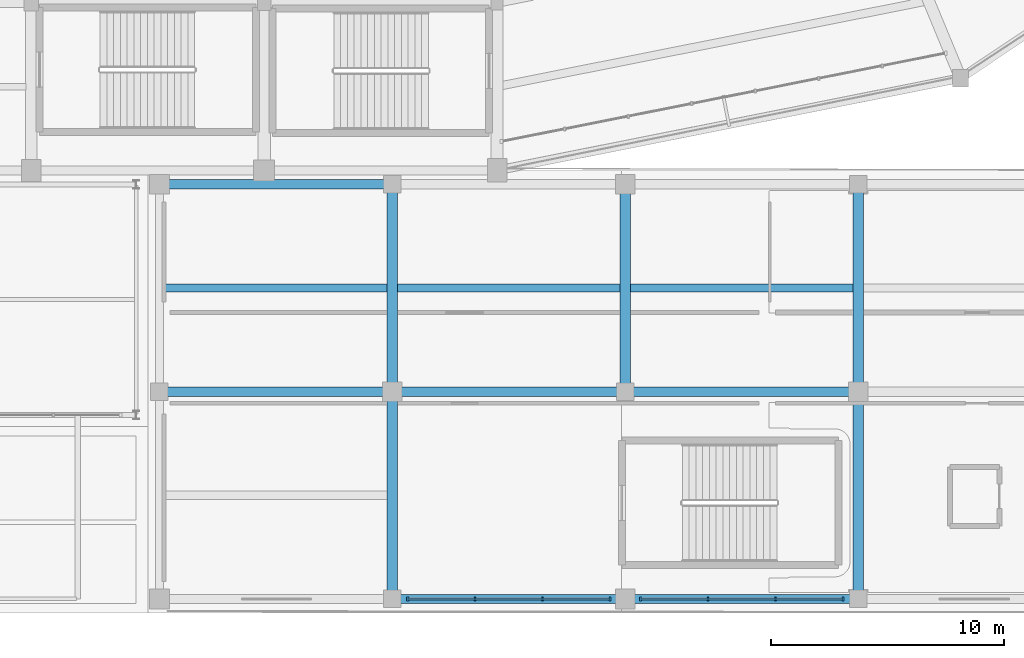
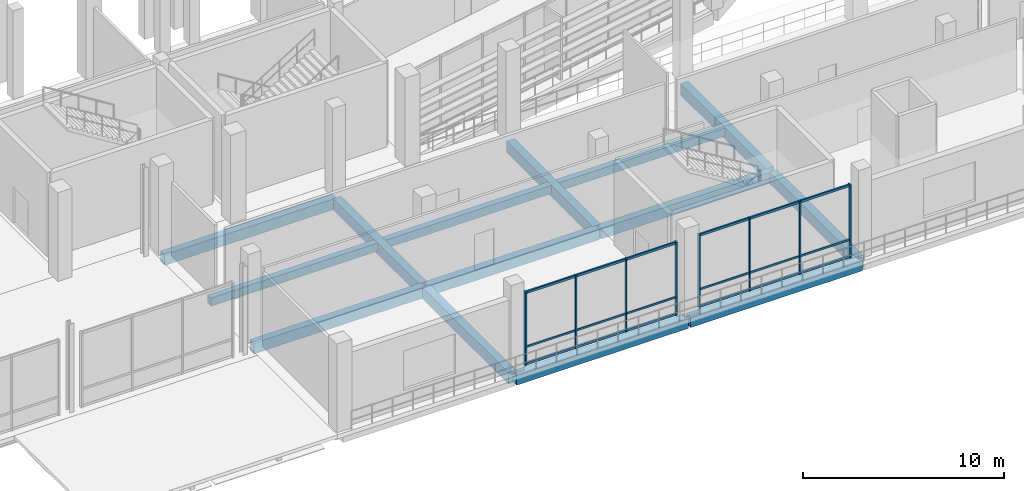
# One storey, part 33 of 114: 14 beams, 14 members, 2 elements without a shape of their own.
"""IFC4 building model written with IfcOpenShell, lengths in metres."""

from ifc_helpers import new_model, si_unit, direction, frame, origin, origin_2d, place, context, subcontext, project, spatial, rectangle, extrude, material, material_profile, profile_set, type_object, element, aggregate, save


model = new_model("IFC4")

# Units and contexts
model_context = context("Model", 3, precision=1e-05, world=origin(), true_north=direction((0.0, 1.0)))
body_context = subcontext(model_context, "Body", "Model", "MODEL_VIEW")
ifc_project = project(units=[si_unit("LENGTHUNIT", "METRE"), si_unit("AREAUNIT", "SQUARE_METRE"), si_unit("VOLUMEUNIT", "CUBIC_METRE"), si_unit("PLANEANGLEUNIT", "RADIAN"), si_unit("MASSUNIT", "GRAM", prefix="KILO")], contexts=[model_context])

# Site, building, storey
site_placement = place(None, origin())
site = spatial("IfcSite", under=ifc_project, at=site_placement, CompositionType="ELEMENT")
building_placement = place(site_placement, origin())
building = spatial("IfcBuilding", under=site, at=building_placement, Name="Candeia Ridge Stadium", CompositionType="ELEMENT")
storey_placement = place(building_placement, frame((0.0, 0.0, 5.39990234375)))
storey = spatial("IfcBuildingStorey", under=building, at=storey_placement, Name="L01", CompositionType="ELEMENT", Elevation=5.39990234375)

# Curtain wall, members
ifc_material_1 = material(Name="Aluminium Anodized Warm Bronze", Category="aluminium")
curtain_wall_type = type_object("IfcCurtainWallType", Name="Museum & Boulevard Showcase Curtain Wall", PredefinedType="NOTDEFINED", material=ifc_material_1)
curtain_wall_1_placement = place(storey_placement, origin())
curtain_wall_1 = element("IfcCurtainWall", 1, at=curtain_wall_1_placement, inside=storey, type_object=curtain_wall_type, Name="Unitised curtain wall CW-WNG-L01-114", PredefinedType="NOTDEFINED")
ifc_material_profile_1 = material_profile(ifc_material_1, rectangle(XDim=0.090087890625, YDim=0.179931640625, at=origin_2d()), Name="CWM-90x180", Category="aluminium")
ifc_profile_set_1 = profile_set([ifc_material_profile_1], Name="Aluminium Anodized Warm Bronze")
member_type_1 = type_object("IfcMemberType", Name="Curtain Wall Primary Mullion 90x180", PredefinedType="MULLION", material=ifc_profile_set_1)
member_1_placement = place(storey_placement, frame((137.159912109375, 0.60009765625, 0.0), z_axis=(0.0, 0.0, 1.0), x_axis=(1.0, 0.0, 0.0)))
member_1 = element("IfcMember", 2, at=member_1_placement, type_object=member_type_1, Name="Curtain wall mullion CW-WNG-L01-114-M0", PredefinedType="MULLION", context=body_context, shape_type="SweptSolid", body=[
    extrude(rectangle(XDim=0.090087890625, YDim=0.179931640625, at=origin_2d()), origin(), (0.0, 0.0, 1.0), 4.47509765625),
])
member_2_placement = place(storey_placement, frame((145.840087890625, 0.60009765625, 0.0), z_axis=(0.0, 0.0, 1.0), x_axis=(1.0, 0.0, 0.0)))
member_2 = element("IfcMember", 3, at=member_2_placement, type_object=member_type_1, Name="Curtain wall mullion CW-WNG-L01-114-M3", PredefinedType="MULLION", context=body_context, shape_type="SweptSolid", body=[
    extrude(rectangle(XDim=0.090087890625, YDim=0.179931640625, at=origin_2d()), origin(), (0.0, 0.0, 1.0), 4.47509765625),
])

curtain_wall_2_placement = place(storey_placement, origin())
curtain_wall_2 = element("IfcCurtainWall", 4, at=curtain_wall_2_placement, inside=storey, type_object=curtain_wall_type, Name="Unitised curtain wall CW-WNG-L01-115", PredefinedType="NOTDEFINED")
member_3_placement = place(storey_placement, frame((147.159912109375, 0.60009765625, 0.0), z_axis=(0.0, 0.0, 1.0), x_axis=(1.0, 0.0, 0.0)))
member_3 = element("IfcMember", 5, at=member_3_placement, type_object=member_type_1, Name="Curtain wall mullion CW-WNG-L01-115-M0", PredefinedType="MULLION", context=body_context, shape_type="SweptSolid", body=[
    extrude(rectangle(XDim=0.090087890625, YDim=0.179931640625, at=origin_2d()), origin(), (0.0, 0.0, 1.0), 4.47509765625),
])
member_4_placement = place(storey_placement, frame((155.840087890625, 0.60009765625, 0.0), z_axis=(0.0, 0.0, 1.0), x_axis=(1.0, 0.0, 0.0)))
member_4 = element("IfcMember", 6, at=member_4_placement, type_object=member_type_1, Name="Curtain wall mullion CW-WNG-L01-115-M3", PredefinedType="MULLION", context=body_context, shape_type="SweptSolid", body=[
    extrude(rectangle(XDim=0.090087890625, YDim=0.179931640625, at=origin_2d()), origin(), (0.0, 0.0, 1.0), 4.47509765625),
])

# Member
ifc_material_profile_2 = material_profile(ifc_material_1, rectangle(XDim=0.074951171875, YDim=0.14990234375, at=origin_2d()), Name="CWM-75x150", Category="aluminium")
ifc_profile_set_2 = profile_set([ifc_material_profile_2], Name="Aluminium Anodized Warm Bronze")
member_type_2 = type_object("IfcMemberType", Name="Curtain Wall Secondary Mullion 75x150", PredefinedType="MULLION", material=ifc_profile_set_2)
member_5_placement = place(storey_placement, frame((140.05322265625, 0.60009765625, 0.0), z_axis=(0.0, 0.0, 1.0), x_axis=(1.0, 0.0, 0.0)))
member_5 = element("IfcMember", 7, at=member_5_placement, type_object=member_type_2, Name="Curtain wall mullion CW-WNG-L01-114-M1", PredefinedType="MULLION", context=body_context, shape_type="SweptSolid", body=[
    extrude(rectangle(XDim=0.074951171875, YDim=0.14990234375, at=origin_2d()), origin(), (0.0, 0.0, 1.0), 4.47509765625),
])

member_6_placement = place(storey_placement, frame((142.94677734375, 0.60009765625, 0.0), z_axis=(0.0, 0.0, 1.0), x_axis=(1.0, 0.0, 0.0)))
member_6 = element("IfcMember", 8, at=member_6_placement, type_object=member_type_2, Name="Curtain wall mullion CW-WNG-L01-114-M2", PredefinedType="MULLION", context=body_context, shape_type="SweptSolid", body=[
    extrude(rectangle(XDim=0.074951171875, YDim=0.14990234375, at=origin_2d()), origin(), (0.0, 0.0, 1.0), 4.47509765625),
])

member_7_placement = place(storey_placement, frame((150.05322265625, 0.60009765625, 0.0), z_axis=(0.0, 0.0, 1.0), x_axis=(1.0, 0.0, 0.0)))
member_7 = element("IfcMember", 9, at=member_7_placement, type_object=member_type_2, Name="Curtain wall mullion CW-WNG-L01-115-M1", PredefinedType="MULLION", context=body_context, shape_type="SweptSolid", body=[
    extrude(rectangle(XDim=0.074951171875, YDim=0.14990234375, at=origin_2d()), origin(), (0.0, 0.0, 1.0), 4.47509765625),
])

member_8_placement = place(storey_placement, frame((152.94677734375, 0.60009765625, 0.0), z_axis=(0.0, 0.0, 1.0), x_axis=(1.0, 0.0, 0.0)))
member_8 = element("IfcMember", 10, at=member_8_placement, type_object=member_type_2, Name="Curtain wall mullion CW-WNG-L01-115-M2", PredefinedType="MULLION", context=body_context, shape_type="SweptSolid", body=[
    extrude(rectangle(XDim=0.074951171875, YDim=0.14990234375, at=origin_2d()), origin(), (0.0, 0.0, 1.0), 4.47509765625),
])

ifc_material_profile_3 = material_profile(ifc_material_1, rectangle(XDim=0.074951171875, YDim=0.110107421875, at=origin_2d()), Name="CWT-75x110", Category="aluminium")
ifc_profile_set_3 = profile_set([ifc_material_profile_3], Name="Aluminium Anodized Warm Bronze")
member_type_3 = type_object("IfcMemberType", Name="Curtain Wall Secondary Transom 75x110", PredefinedType="USERDEFINED", material=ifc_profile_set_3)
member_9_placement = place(storey_placement, frame((137.159912109375, 0.60009765625, 1.10009765625), z_axis=(1.0, 0.0, 0.0), x_axis=(0.0, 1.0, 0.0)))
member_9 = element("IfcMember", 11, at=member_9_placement, type_object=member_type_3, Name="Curtain wall transom CW-WNG-L01-114-T1", ObjectType="TRANSOM", PredefinedType="USERDEFINED", context=body_context, shape_type="SweptSolid", body=[
    extrude(rectangle(XDim=0.074951171875, YDim=0.110107421875, at=origin_2d()), origin(), (0.0, 0.0, 1.0), 8.68017578125),
])

member_10_placement = place(storey_placement, frame((147.159912109375, 0.60009765625, 1.10009765625), z_axis=(1.0, 0.0, 0.0), x_axis=(0.0, 1.0, 0.0)))
member_10 = element("IfcMember", 12, at=member_10_placement, type_object=member_type_3, Name="Curtain wall transom CW-WNG-L01-115-T1", ObjectType="TRANSOM", PredefinedType="USERDEFINED", context=body_context, shape_type="SweptSolid", body=[
    extrude(rectangle(XDim=0.074951171875, YDim=0.110107421875, at=origin_2d()), origin(), (0.0, 0.0, 1.0), 8.68017578125),
])

ifc_material_profile_4 = material_profile(ifc_material_1, rectangle(XDim=0.090087890625, YDim=0.139892578125, at=origin_2d()), Name="CWT-90x140", Category="aluminium")
ifc_profile_set_4 = profile_set([ifc_material_profile_4], Name="Aluminium Anodized Warm Bronze")
member_type_4 = type_object("IfcMemberType", Name="Curtain Wall Transom 90x140", PredefinedType="USERDEFINED", material=ifc_profile_set_4)
member_11_placement = place(storey_placement, frame((137.159912109375, 0.60009765625, 0.070068359375), z_axis=(1.0, 0.0, 0.0), x_axis=(0.0, 1.0, 0.0)))
member_11 = element("IfcMember", 13, at=member_11_placement, type_object=member_type_4, Name="Curtain wall transom CW-WNG-L01-114-T0", ObjectType="TRANSOM", PredefinedType="USERDEFINED", context=body_context, shape_type="SweptSolid", body=[
    extrude(rectangle(XDim=0.090087890625, YDim=0.139892578125, at=origin_2d()), origin(), (0.0, 0.0, 1.0), 8.68017578125),
])

member_12_placement = place(storey_placement, frame((137.159912109375, 0.60009765625, 4.405029296875), z_axis=(1.0, 0.0, 0.0), x_axis=(0.0, 1.0, 0.0)))
member_12 = element("IfcMember", 14, at=member_12_placement, type_object=member_type_4, Name="Curtain wall transom CW-WNG-L01-114-T2", ObjectType="TRANSOM", PredefinedType="USERDEFINED", context=body_context, shape_type="SweptSolid", body=[
    extrude(rectangle(XDim=0.090087890625, YDim=0.139892578125, at=origin_2d()), origin(), (0.0, 0.0, 1.0), 8.68017578125),
])

aggregate(curtain_wall_1, [member_1, member_5, member_6, member_2, member_11, member_9, member_12])

member_13_placement = place(storey_placement, frame((147.159912109375, 0.60009765625, 0.070068359375), z_axis=(1.0, 0.0, 0.0), x_axis=(0.0, 1.0, 0.0)))
member_13 = element("IfcMember", 15, at=member_13_placement, type_object=member_type_4, Name="Curtain wall transom CW-WNG-L01-115-T0", ObjectType="TRANSOM", PredefinedType="USERDEFINED", context=body_context, shape_type="SweptSolid", body=[
    extrude(rectangle(XDim=0.090087890625, YDim=0.139892578125, at=origin_2d()), origin(), (0.0, 0.0, 1.0), 8.68017578125),
])

member_14_placement = place(storey_placement, frame((147.159912109375, 0.60009765625, 4.405029296875), z_axis=(1.0, 0.0, 0.0), x_axis=(0.0, 1.0, 0.0)))
member_14 = element("IfcMember", 16, at=member_14_placement, type_object=member_type_4, Name="Curtain wall transom CW-WNG-L01-115-T2", ObjectType="TRANSOM", PredefinedType="USERDEFINED", context=body_context, shape_type="SweptSolid", body=[
    extrude(rectangle(XDim=0.090087890625, YDim=0.139892578125, at=origin_2d()), origin(), (0.0, 0.0, 1.0), 8.68017578125),
])

aggregate(curtain_wall_2, [member_3, member_7, member_8, member_4, member_13, member_10, member_14])

# Beams
ifc_material_2 = material(Name="Concrete C40/50", Category="concrete")
ifc_material_profile_5 = material_profile(ifc_material_2, rectangle(XDim=0.35009765625, YDim=0.5, at=origin_2d()), Name="RC350x500", Category="concrete")
ifc_profile_set_5 = profile_set([ifc_material_profile_5], Name="Concrete C40/50")
beam_type_1 = type_object("IfcBeamType", Name="Floor Joist RC350x500", PredefinedType="JOIST", material=ifc_profile_set_5)
beam_placement = place(storey_placement, frame((126.674560546875, 13.949951171875, -0.510009765625), z_axis=(1.0, 0.0, 0.0), x_axis=(0.0, 1.0, 0.0)))
element("IfcBeam", 17, at=beam_placement, inside=storey, type_object=beam_type_1, Name="Wing secondary joist BM-L01-1994", PredefinedType="JOIST", context=body_context, shape_type="SweptSolid", body=[
    extrude(rectangle(XDim=0.35009765625, YDim=0.5, at=origin_2d()), origin(), (0.0, 0.0, 1.0), 9.600830078125),
])
for number, where, z_axis, x_axis, name in (
    (18, (136.724609375, 13.949951171875, -0.510009765625), (1.0, 0.0, 0.0), (0.0, 1.0, 0.0), "Wing secondary joist BM-L01-1998"),
    (19, (146.724609375, 13.949951171875, -0.510009765625), (1.0, 0.0, 0.0), (0.0, 1.0, 0.0), "Wing secondary joist BM-L01-2002"),
):
    element("IfcBeam", number, at=place(storey_placement, frame(where, z_axis=z_axis, x_axis=x_axis)), inside=storey, type_object=beam_type_1, Name=name, PredefinedType="JOIST", context=body_context, shape_type="SweptSolid", body=[
        extrude(rectangle(XDim=0.35009765625, YDim=0.5, at=origin_2d()), origin(), (0.0, 0.0, 1.0), 9.55078125),
    ])
ifc_material_profile_6 = material_profile(ifc_material_2, rectangle(XDim=0.449951171875, YDim=0.699951171875, at=origin_2d()), Name="RC450x700", Category="concrete")
ifc_profile_set_6 = profile_set([ifc_material_profile_6], Name="Concrete C40/50")
beam_type_2 = type_object("IfcBeamType", Name="Frame Girder RC450x700", PredefinedType="BEAM", material=ifc_profile_set_6)
for number, where, z_axis, x_axis, name in (
    (20, (136.5, 0.760009765625, -0.60986328125), (0.0, 1.0, 0.0), (-1.0, 0.0, 0.0), "Structural girder BM-L01-1980"),
    (21, (136.5, 9.659912109375, -0.60986328125), (0.0, 1.0, 0.0), (-1.0, 0.0, 0.0), "Structural girder BM-L01-1981"),
    (22, (146.5, 9.659912109375, -0.60986328125), (0.0, 1.0, 0.0), (-1.0, 0.0, 0.0), "Structural girder BM-L01-1982"),
    (23, (156.5, 0.760009765625, -0.60986328125), (0.0, 1.0, 0.0), (-1.0, 0.0, 0.0), "Structural girder BM-L01-1983"),
    (24, (156.5, 9.659912109375, -0.60986328125), (0.0, 1.0, 0.0), (-1.0, 0.0, 0.0), "Structural girder BM-L01-1984"),
):
    element("IfcBeam", number, at=place(storey_placement, frame(where, z_axis=z_axis, x_axis=x_axis)), inside=storey, type_object=beam_type_2, Name=name, PredefinedType="BEAM", context=body_context, shape_type="SweptSolid", body=[
        extrude(rectangle(XDim=0.449951171875, YDim=0.699951171875, at=origin_2d()), origin(), (0.0, 0.0, 1.0), 8.580078125),
    ])
ifc_material_profile_7 = material_profile(ifc_material_2, rectangle(XDim=0.39990234375, YDim=0.64990234375, at=origin_2d()), Name="RC400x650", Category="concrete")
ifc_profile_set_7 = profile_set([ifc_material_profile_7], Name="Concrete C40/50")
beam_type_3 = type_object("IfcBeamType", Name="Wing Primary Girder RC400x650", PredefinedType="BEAM", material=ifc_profile_set_7)
for number, where, z_axis, x_axis, name in (
    (25, (126.550048828125, 9.5, -0.5849609375), (1.0, 0.0, 0.0), (0.0, 1.0, 0.0), "Structural girder BM-L01-1993"),
    (26, (126.550048828125, 18.39990234375, -0.5849609375), (1.0, 0.0, 0.0), (0.0, 1.0, 0.0), "Structural girder BM-L01-1995"),
    (27, (136.550048828125, 0.60009765625, -0.5849609375), (1.0, 0.0, 0.0), (0.0, 1.0, 0.0), "Structural girder BM-L01-1996"),
    (28, (136.550048828125, 9.5, -0.5849609375), (1.0, 0.0, 0.0), (0.0, 1.0, 0.0), "Structural girder BM-L01-1997"),
    (29, (146.550048828125, 0.60009765625, -0.5849609375), (1.0, 0.0, 0.0), (0.0, 1.0, 0.0), "Structural girder BM-L01-2000"),
    (30, (146.550048828125, 9.5, -0.5849609375), (1.0, 0.0, 0.0), (0.0, 1.0, 0.0), "Structural girder BM-L01-2001"),
):
    element("IfcBeam", number, at=place(storey_placement, frame(where, z_axis=z_axis, x_axis=x_axis)), inside=storey, type_object=beam_type_3, Name=name, PredefinedType="BEAM", context=body_context, shape_type="SweptSolid", body=[
        extrude(rectangle(XDim=0.39990234375, YDim=0.64990234375, at=origin_2d()), origin(), (0.0, 0.0, 1.0), 9.89990234375),
    ])

save(model, "model.ifc")
